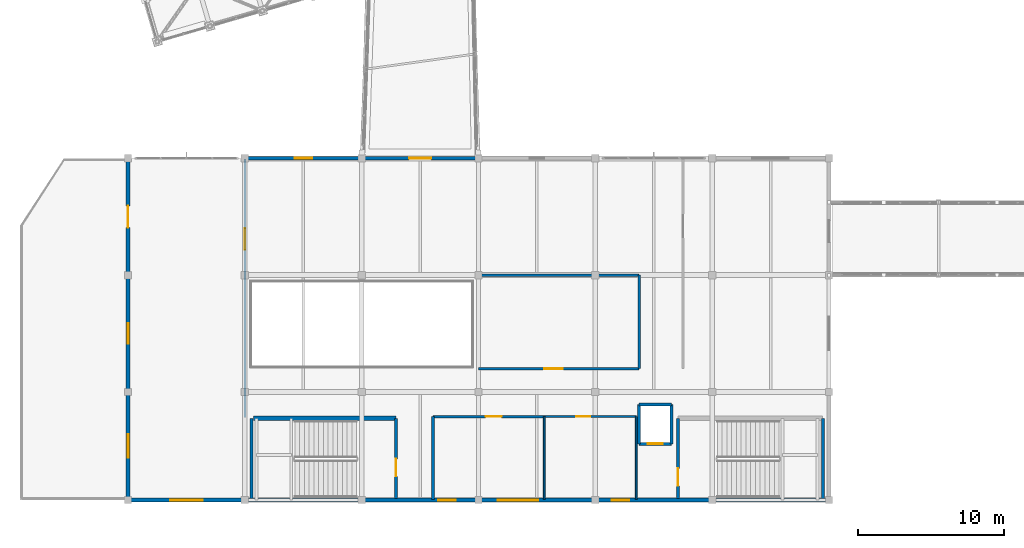
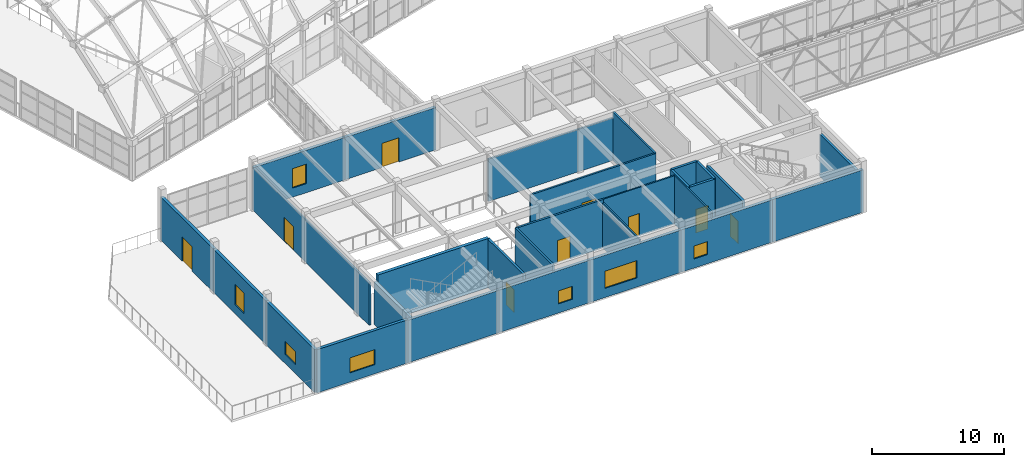
# One storey, part 223 of 248: 29 walls, 9 doors, 7 windows, 16 openings.
"""IFC4 building model written with IfcOpenShell, lengths in metres."""

import ifcopenshell
import ifcopenshell.guid

model = None  # the IFC model being written
_history = None  # IfcOwnerHistory: only IFC2X3 demands one
_inside = {}  # id of a spatial element -> (the spatial element, [elements in it])
_under = {}  # id of a project, library or spatial element -> (it, [spatial elements below it])
_declared = {}  # id of a project -> (the project, [libraries it declares])
_typed = {}  # id of a type object -> (the type object, [elements of that type])
_made_of = {}  # id of a material, layer set ... -> (it, [elements and type objects made of it])


def new_model(schema):
    """Start an empty IFC model of exactly this schema.

    Asked for "IFC4X3", IfcOpenShell would pick the latest addendum, in which some entities
    have other attributes; the version numbers below select the first issue.
    IFC2X3 requires an IfcOwnerHistory on every rooted entity: one is made here for all.
    """
    global model, _history
    if schema == "IFC4X3":
        model = ifcopenshell.file(schema_version=(4, 3, 0, 0))
    else:
        model = ifcopenshell.file(schema=schema)
    _inside.clear()
    _under.clear()
    _declared.clear()
    _typed.clear()
    _made_of.clear()
    _history = None
    if model.schema == "IFC2X3":
        org = make("IfcOrganization", Name="unknown")
        user = make(
            "IfcPersonAndOrganization",
            ThePerson=make("IfcPerson", FamilyName="unknown"),
            TheOrganization=org,
        )
        app = make(
            "IfcApplication",
            ApplicationDeveloper=org,
            Version="unknown",
            ApplicationFullName="unknown",
            ApplicationIdentifier="unknown",
        )
        _history = make(
            "IfcOwnerHistory",
            OwningUser=user,
            OwningApplication=app,
            ChangeAction="ADDED",
            CreationDate=0,
        )
    return model


def make(cls, **values):
    """One entity of the class cls with the attributes given. An attribute that is None is left unset."""
    return model.create_entity(
        cls, **{name: value for name, value in values.items() if value is not None}
    )


def rooted(cls, **values):
    """An entity with a GlobalId (a new one), such as an element, a storey or a relation."""
    return make(cls, GlobalId=ifcopenshell.guid.new(), OwnerHistory=_history, **values)


def si_unit(unit_type, name, prefix=None):
    """IfcSIUnit, for example si_unit("LENGTHUNIT", "METRE", prefix="MILLI")."""
    return make("IfcSIUnit", UnitType=unit_type, Prefix=prefix, Name=name)


def assignment(units):
    """IfcUnitAssignment: the units of a project."""
    return None if units is None else make("IfcUnitAssignment", Units=units)


def point(xyz):
    """IfcCartesianPoint."""
    return None if xyz is None else make("IfcCartesianPoint", Coordinates=xyz)


def direction(xyz):
    """IfcDirection."""
    return None if xyz is None else make("IfcDirection", DirectionRatios=xyz)


def frame(location, z_axis=None, x_axis=None):
    """IfcAxis2Placement3D, a coordinate frame: its origin and axes. An axis left out is left unset."""
    return make(
        "IfcAxis2Placement3D",
        Location=point(location),
        Axis=direction(z_axis),
        RefDirection=direction(x_axis),
    )


def frame_2d(location, x_axis=None):
    """IfcAxis2Placement2D, a coordinate frame in the plane: its origin and x axis."""
    return make(
        "IfcAxis2Placement2D", Location=point(location), RefDirection=direction(x_axis)
    )


def origin():
    """The frame at (0, 0, 0) with its axes left unset."""
    return frame((0.0, 0.0, 0.0))


def place(relative_to, where):
    """IfcLocalPlacement: puts the frame where relative to a parent placement (None: the world)."""
    return make(
        "IfcLocalPlacement", PlacementRelTo=relative_to, RelativePlacement=where
    )


def context(
    kind, dimensions, precision=None, world=None, true_north=None, identifier=None
):
    """IfcGeometricRepresentationContext, for example the 3D "Model" context."""
    return make(
        "IfcGeometricRepresentationContext",
        ContextIdentifier=identifier,
        ContextType=kind,
        CoordinateSpaceDimension=dimensions,
        Precision=precision,
        WorldCoordinateSystem=world,
        TrueNorth=true_north,
    )


def subcontext(parent, identifier, kind, view, scale=None):
    """IfcGeometricRepresentationSubContext, for example "Body" below "Model"."""
    return make(
        "IfcGeometricRepresentationSubContext",
        ContextIdentifier=identifier,
        ContextType=kind,
        ParentContext=parent,
        TargetScale=scale,
        TargetView=view,
    )


def project(units=None, contexts=None):
    """IfcProject with its units and contexts."""
    return rooted(
        "IfcProject",
        Name="project",
        RepresentationContexts=contexts,
        UnitsInContext=assignment(units),
    )


def spatial(cls, under=None, at=None, **own):
    """A site, building, storey or space (cls), placed at a placement, below another one or the project."""
    s = rooted(cls, ObjectPlacement=at, **own)
    if under is not None:
        _under.setdefault(under.id(), (under, []))[1].append(s)
    return s


def profile(cls, at=None, kind="AREA", **sizes):
    """A parametric profile (cls). Its sizes go by their IFC names, for example OverallWidth=200.0."""
    return make(cls, ProfileType=kind, Position=at, **sizes)


def rectangle(**sizes):
    """IfcRectangleProfileDef."""
    return profile("IfcRectangleProfileDef", **sizes)


def extrude(swept, where, along, depth):
    """IfcExtrudedAreaSolid: the profile swept, set in the frame where, extruded along a direction by depth."""
    return make(
        "IfcExtrudedAreaSolid",
        SweptArea=swept,
        Position=where,
        ExtrudedDirection=direction(along),
        Depth=depth,
    )


def shape(context_of_items, identifier, shape_type, items):
    """IfcShapeRepresentation: the items that make up one representation, for example the "Body"."""
    return make(
        "IfcShapeRepresentation",
        ContextOfItems=context_of_items,
        RepresentationIdentifier=identifier,
        RepresentationType=shape_type,
        Items=items,
    )


def material(Name=None, Category=None):
    """IfcMaterial."""
    return make("IfcMaterial", Name=Name, Category=Category)


def layer(
    of_material, thickness, ventilated=None, Name=None, Category=None, Priority=None
):
    """IfcMaterialLayer: one layer of a wall or slab, of a material (None: an air gap)."""
    return make(
        "IfcMaterialLayer",
        Material=of_material,
        LayerThickness=thickness,
        IsVentilated=ventilated,
        Name=Name,
        Category=Category,
        Priority=Priority,
    )


def layer_set(layers, Name=None):
    """IfcMaterialLayerSet."""
    return make("IfcMaterialLayerSet", MaterialLayers=layers, LayerSetName=Name)


def made_of(thing, what):
    """Note that an element or type object is made of a material, layer set ...; save() writes the relation."""
    if what is not None:
        _made_of.setdefault(what.id(), (what, []))[1].append(thing)
    return thing


def type_object(cls, material=None, **own):
    """A type object (cls), such as IfcWallType, which elements share."""
    return made_of(rooted(cls, **own), material)


def element(
    cls,
    number,
    at=None,
    inside=None,
    cuts=None,
    type_object=None,
    material=None,
    context=None,
    identifier="Body",
    shape_type=None,
    held_by="IfcProductDefinitionShape",
    body=None,
    shapes=None,
    **own,
):
    """One element of the class cls, such as IfcWall. Its Tag is "e" and its number.

    at: its placement. inside: the storey or other place that contains it. cuts: it is an
    opening in that element (IfcRelVoidsElement). A single representation is given by context,
    identifier, shape_type and body (its items); several are given by shapes. held_by: the class
    of the entity that holds the representations. save() writes the other relations.
    """
    e = rooted(cls, Tag="e%d" % number, ObjectPlacement=at, **own)
    if body is not None:
        shapes = [shape(context, identifier, shape_type, body)]
    if shapes is not None:
        e.Representation = make(held_by, Representations=shapes)
    if inside is not None:
        _inside.setdefault(inside.id(), (inside, []))[1].append(e)
    if cuts is not None:
        rooted(
            "IfcRelVoidsElement", RelatingBuildingElement=cuts, RelatedOpeningElement=e
        )
    if type_object is not None:
        _typed.setdefault(type_object.id(), (type_object, []))[1].append(e)
    return made_of(e, material)


def fill(opening, filler):
    """IfcRelFillsElement: the door or window that sits in an opening."""
    return rooted(
        "IfcRelFillsElement",
        RelatingOpeningElement=opening,
        RelatedBuildingElement=filler,
    )


def aggregate(whole, parts):
    """IfcRelAggregates: a whole, such as a stair, and the parts it consists of."""
    return rooted("IfcRelAggregates", RelatingObject=whole, RelatedObjects=parts)


def save(model, path):
    """Write the relations noted so far, then the file.

    IfcRelAggregates (storeys below a building ...), IfcRelContainedInSpatialStructure (elements
    in a storey), IfcRelDefinesByType, IfcRelAssociatesMaterial and IfcRelDeclares: one each for
    every whole, place, type object, material and project.
    """
    for whole, parts in _under.values():
        aggregate(whole, parts)
    for where, things in _inside.values():
        rooted(
            "IfcRelContainedInSpatialStructure",
            RelatedElements=things,
            RelatingStructure=where,
        )
    for kind, things in _typed.values():
        rooted("IfcRelDefinesByType", RelatedObjects=things, RelatingType=kind)
    for what, things in _made_of.values():
        rooted("IfcRelAssociatesMaterial", RelatedObjects=things, RelatingMaterial=what)
    for by, libraries in _declared.values():
        rooted("IfcRelDeclares", RelatingContext=by, RelatedDefinitions=libraries)
    model.write(path)


model = new_model("IFC4")

# Units and contexts
model_context = context("Model", 3, precision=1e-05, world=origin(), true_north=direction((0.0, 1.0)))
body_context = subcontext(model_context, "Body", "Model", "MODEL_VIEW")
ifc_project = project(units=[si_unit("LENGTHUNIT", "METRE"), si_unit("AREAUNIT", "SQUARE_METRE"), si_unit("VOLUMEUNIT", "CUBIC_METRE"), si_unit("PLANEANGLEUNIT", "RADIAN"), si_unit("MASSUNIT", "GRAM", prefix="KILO")], contexts=[model_context])

# Site, building, storey
site_placement = place(None, origin())
site = spatial("IfcSite", under=ifc_project, at=site_placement, CompositionType="ELEMENT")
building_placement = place(site_placement, origin())
building = spatial("IfcBuilding", under=site, at=building_placement, Name="Canggui Botanical Conservatory", CompositionType="ELEMENT")
storey_placement = place(building_placement, frame((0.0, 0.0, 5.39990234375)))
storey = spatial("IfcBuildingStorey", under=building, at=storey_placement, Name="L02", CompositionType="ELEMENT", Elevation=5.39990234375)

# Wall
ifc_material_1 = material(Name="Precast Concrete C40", Category="concrete")
ifc_layer_1 = layer(ifc_material_1, 0.260009765625, Name="Precast Concrete C40", Category="concrete")
ifc_layer_set_1 = layer_set([ifc_layer_1], Name="Precast Concrete C40")
wall_type_1 = type_object("IfcWallType", Name="EW-260", PredefinedType="STANDARD", material=ifc_layer_set_1)
wall_1_placement = place(storey_placement, frame((66.0, 10.60009765625, 0.0), z_axis=(0.0, 0.0, 1.0), x_axis=(-1.0, 0.0, 0.0)))
element("IfcWall", 1, at=wall_1_placement, inside=storey, type_object=wall_type_1, Name="Visitor Centre Exterior Wall L02-1", PredefinedType="STANDARD", context=body_context, shape_type="SweptSolid", body=[
    extrude(rectangle(XDim=8.0, YDim=0.260009765625, at=frame_2d((4.0, 0.0))), origin(), (0.0, 0.0, 1.0), 3.940185546875),
])

# Wall, opening, window
wall_2_placement = place(storey_placement, frame((58.0, 10.60009765625, 0.0), z_axis=(0.0, 0.0, 1.0), x_axis=(-1.0, 0.0, 0.0)))
wall_2 = element("IfcWall", 2, at=wall_2_placement, inside=storey, type_object=wall_type_1, Name="Visitor Centre Exterior Wall L02-2", PredefinedType="STANDARD", context=body_context, shape_type="SweptSolid", body=[
    extrude(rectangle(XDim=8.0, YDim=0.260009765625, at=frame_2d((4.0, 0.0))), origin(), (0.0, 0.0, 1.0), 3.940185546875),
])
opening_1_placement = place(wall_2_placement, frame((5.69189453125, 0.0, 0.85009765625)))
opening_1 = element("IfcOpeningElement", 3, at=opening_1_placement, cuts=wall_2, Name="Opening W-06", PredefinedType="OPENING", context=body_context, shape_type="SweptSolid", body=[
    extrude(rectangle(XDim=1.199951171875, YDim=1.199951171875, at=frame_2d((0.60009765625, 0.60009765625))), frame((0.0, 0.14013671875, 0.0), z_axis=(0.0, -1.0, 0.0), x_axis=(1.0, 0.0, 0.0)), (0.0, 0.0, 1.0), 0.280029296875),
])
ifc_material_2 = material(Name="Low-E Insulated Glass", Category="glass")
window_type_1 = type_object("IfcWindowType", Name="WIN-06", PartitioningType="SINGLE_PANEL", PredefinedType="WINDOW", material=ifc_material_2)
window_1_placement = place(opening_1_placement, origin())
window_1 = element("IfcWindow", 4, at=window_1_placement, inside=storey, type_object=window_type_1, Name="Visitor Centre Window L02-2", OverallHeight=1.199951171875, OverallWidth=1.199951171875, PartitioningType="SINGLE_PANEL", PredefinedType="WINDOW", context=body_context, shape_type="SweptSolid", body=[
    extrude(rectangle(XDim=1.199951171875, YDim=1.199951171875, at=frame_2d((0.60009765625, 0.60009765625))), frame((0.0, 0.030029296875, 0.0), z_axis=(0.0, -1.0, 0.0), x_axis=(1.0, 0.0, 0.0)), (0.0, 0.0, 1.0), 0.06005859375),
])
fill(opening_1, window_1)

wall_3_placement = place(storey_placement, frame((50.0, 10.60009765625, 0.0), z_axis=(0.0, 0.0, 1.0), x_axis=(-1.0, 0.0, 0.0)))
wall_3 = element("IfcWall", 5, at=wall_3_placement, inside=storey, type_object=wall_type_1, Name="Visitor Centre Exterior Wall L02-3", PredefinedType="STANDARD", context=body_context, shape_type="SweptSolid", body=[
    extrude(rectangle(XDim=8.0, YDim=0.260009765625, at=frame_2d((4.0, 0.0))), origin(), (0.0, 0.0, 1.0), 3.940185546875),
])
opening_2_placement = place(wall_3_placement, frame((3.89990234375, 0.0, 0.85009765625)))
opening_2 = element("IfcOpeningElement", 6, at=opening_2_placement, cuts=wall_3, Name="Opening W-08", PredefinedType="OPENING", context=body_context, shape_type="SweptSolid", body=[
    extrude(rectangle(XDim=2.800048828125, YDim=1.60009765625, at=frame_2d((1.39990234375, 0.800048828125))), frame((0.0, 0.14013671875, 0.0), z_axis=(0.0, -1.0, 0.0), x_axis=(1.0, 0.0, 0.0)), (0.0, 0.0, 1.0), 0.280029296875),
])
window_type_2 = type_object("IfcWindowType", Name="WIN-08", PartitioningType="TRIPLE_PANEL_VERTICAL", PredefinedType="WINDOW", material=ifc_material_2)
window_2_placement = place(opening_2_placement, origin())
window_2 = element("IfcWindow", 7, at=window_2_placement, inside=storey, type_object=window_type_2, Name="Visitor Centre Window L02-3", OverallHeight=1.60009765625, OverallWidth=2.800048828125, PartitioningType="SINGLE_PANEL", PredefinedType="WINDOW", context=body_context, shape_type="SweptSolid", body=[
    extrude(rectangle(XDim=2.800048828125, YDim=1.60009765625, at=frame_2d((1.39990234375, 0.800048828125))), frame((0.0, 0.030029296875, 0.0), z_axis=(0.0, -1.0, 0.0), x_axis=(1.0, 0.0, 0.0)), (0.0, 0.0, 1.0), 0.06005859375),
])
fill(opening_2, window_2)

wall_4_placement = place(storey_placement, frame((42.0, 10.60009765625, 0.0), z_axis=(0.0, 0.0, 1.0), x_axis=(-1.0, 0.0, 0.0)))
wall_4 = element("IfcWall", 8, at=wall_4_placement, inside=storey, type_object=wall_type_1, Name="Visitor Centre Exterior Wall L02-4", PredefinedType="STANDARD", context=body_context, shape_type="SweptSolid", body=[
    extrude(rectangle(XDim=8.0, YDim=0.260009765625, at=frame_2d((4.0, 0.0))), origin(), (0.0, 0.0, 1.0), 3.940185546875),
])
opening_3_placement = place(wall_4_placement, frame((1.56689453125, 0.0, 0.85009765625)))
opening_3 = element("IfcOpeningElement", 9, at=opening_3_placement, cuts=wall_4, Name="Opening W-06", PredefinedType="OPENING", context=body_context, shape_type="SweptSolid", body=[
    extrude(rectangle(XDim=1.199951171875, YDim=1.199951171875, at=frame_2d((0.60009765625, 0.60009765625))), frame((0.0, 0.14013671875, 0.0), z_axis=(0.0, -1.0, 0.0), x_axis=(1.0, 0.0, 0.0)), (0.0, 0.0, 1.0), 0.280029296875),
])
window_3_placement = place(opening_3_placement, origin())
window_3 = element("IfcWindow", 10, at=window_3_placement, inside=storey, type_object=window_type_1, Name="Visitor Centre Window L02-4", OverallHeight=1.199951171875, OverallWidth=1.199951171875, PartitioningType="SINGLE_PANEL", PredefinedType="WINDOW", context=body_context, shape_type="SweptSolid", body=[
    extrude(rectangle(XDim=1.199951171875, YDim=1.199951171875, at=frame_2d((0.60009765625, 0.60009765625))), frame((0.0, 0.030029296875, 0.0), z_axis=(0.0, -1.0, 0.0), x_axis=(1.0, 0.0, 0.0)), (0.0, 0.0, 1.0), 0.06005859375),
])
fill(opening_3, window_3)

# Wall
wall_5_placement = place(storey_placement, frame((34.0, 10.60009765625, 0.0), z_axis=(0.0, 0.0, 1.0), x_axis=(-1.0, 0.0, 0.0)))
element("IfcWall", 11, at=wall_5_placement, inside=storey, type_object=wall_type_1, Name="Visitor Centre Exterior Wall L02-5", PredefinedType="STANDARD", context=body_context, shape_type="SweptSolid", body=[
    extrude(rectangle(XDim=8.0, YDim=0.260009765625, at=frame_2d((4.0, 0.0))), origin(), (0.0, 0.0, 1.0), 3.940185546875),
])

# Wall, opening, window
wall_6_placement = place(storey_placement, frame((26.0, 10.60009765625, 0.0), z_axis=(0.0, 0.0, 1.0), x_axis=(-1.0, 0.0, 0.0)))
wall_6 = element("IfcWall", 12, at=wall_6_placement, inside=storey, type_object=wall_type_1, Name="Visitor Centre Exterior Wall L02-6", PredefinedType="STANDARD", context=body_context, shape_type="SweptSolid", body=[
    extrude(rectangle(XDim=8.0, YDim=0.260009765625, at=frame_2d((4.0, 0.0))), origin(), (0.0, 0.0, 1.0), 4.010009765625),
])
opening_4_placement = place(wall_6_placement, frame((2.89990234375, 0.0, 0.85009765625)))
opening_4 = element("IfcOpeningElement", 13, at=opening_4_placement, cuts=wall_6, Name="Opening W-10", PredefinedType="OPENING", context=body_context, shape_type="SweptSolid", body=[
    extrude(rectangle(XDim=2.199951171875, YDim=1.39990234375, at=frame_2d((1.10009765625, 0.699951171875))), frame((0.0, 0.14013671875, 0.0), z_axis=(0.0, -1.0, 0.0), x_axis=(1.0, 0.0, 0.0)), (0.0, 0.0, 1.0), 0.280029296875),
])
window_type_3 = type_object("IfcWindowType", Name="WIN-10", PartitioningType="DOUBLE_PANEL_VERTICAL", PredefinedType="WINDOW", material=ifc_material_2)
window_4_placement = place(opening_4_placement, origin())
window_4 = element("IfcWindow", 14, at=window_4_placement, inside=storey, type_object=window_type_3, Name="Visitor Centre Window L02-6", OverallHeight=1.39990234375, OverallWidth=2.199951171875, PartitioningType="SINGLE_PANEL", PredefinedType="WINDOW", context=body_context, shape_type="SweptSolid", body=[
    extrude(rectangle(XDim=2.199951171875, YDim=1.39990234375, at=frame_2d((1.10009765625, 0.699951171875))), frame((0.0, 0.030029296875, 0.0), z_axis=(0.0, -1.0, 0.0), x_axis=(1.0, 0.0, 0.0)), (0.0, 0.0, 1.0), 0.06005859375),
])
fill(opening_4, window_4)

wall_7_placement = place(storey_placement, frame((18.0, 10.60009765625, 0.0), z_axis=(0.0, 0.0, 1.0), x_axis=(0.0, 1.0, 0.0)))
wall_7 = element("IfcWall", 15, at=wall_7_placement, inside=storey, type_object=wall_type_1, Name="Visitor Centre Exterior Wall L02-7", PredefinedType="STANDARD", context=body_context, shape_type="SweptSolid", body=[
    extrude(rectangle(XDim=7.39990234375, YDim=0.260009765625, at=frame_2d((3.699951171875, 0.0))), origin(), (0.0, 0.0, 1.0), 4.010009765625),
])
opening_5_placement = place(wall_7_placement, frame((2.89990234375, 0.0, 0.85009765625)))
opening_5 = element("IfcOpeningElement", 16, at=opening_5_placement, cuts=wall_7, Name="Opening W-04", PredefinedType="OPENING", context=body_context, shape_type="SweptSolid", body=[
    extrude(rectangle(XDim=1.60009765625, YDim=1.199951171875, at=frame_2d((0.800048828125, 0.60009765625))), frame((0.0, 0.14013671875, 0.0), z_axis=(0.0, -1.0, 0.0), x_axis=(1.0, 0.0, 0.0)), (0.0, 0.0, 1.0), 0.280029296875),
])
window_type_4 = type_object("IfcWindowType", Name="WIN-04", PartitioningType="SINGLE_PANEL", PredefinedType="WINDOW", material=ifc_material_2)
window_5_placement = place(opening_5_placement, origin())
window_5 = element("IfcWindow", 17, at=window_5_placement, inside=storey, type_object=window_type_4, Name="Visitor Centre Window L02-7", OverallHeight=1.199951171875, OverallWidth=1.60009765625, PartitioningType="SINGLE_PANEL", PredefinedType="WINDOW", context=body_context, shape_type="SweptSolid", body=[
    extrude(rectangle(XDim=1.60009765625, YDim=1.199951171875, at=frame_2d((0.800048828125, 0.60009765625))), frame((0.0, 0.030029296875, 0.0), z_axis=(0.0, -1.0, 0.0), x_axis=(1.0, 0.0, 0.0)), (0.0, 0.0, 1.0), 0.06005859375),
])
fill(opening_5, window_5)

wall_8_placement = place(storey_placement, frame((18.0, 18.0, 0.0), z_axis=(0.0, 0.0, 1.0), x_axis=(0.0, 1.0, 0.0)))
wall_8 = element("IfcWall", 18, at=wall_8_placement, inside=storey, type_object=wall_type_1, Name="Visitor Centre Exterior Wall L02-8", PredefinedType="STANDARD", context=body_context, shape_type="SweptSolid", body=[
    extrude(rectangle(XDim=8.0, YDim=0.260009765625, at=frame_2d((4.0, 0.0))), origin(), (0.0, 0.0, 1.0), 4.010009765625),
])
opening_6_placement = place(wall_8_placement, frame((3.300048828125, 0.0, 0.85009765625)))
opening_6 = element("IfcOpeningElement", 19, at=opening_6_placement, cuts=wall_8, Name="Opening W-14", PredefinedType="OPENING", context=body_context, shape_type="SweptSolid", body=[
    extrude(rectangle(XDim=1.39990234375, YDim=1.89990234375, at=frame_2d((0.699951171875, 0.949951171875))), frame((0.0, 0.14013671875, 0.0), z_axis=(0.0, -1.0, 0.0), x_axis=(1.0, 0.0, 0.0)), (0.0, 0.0, 1.0), 0.280029296875),
])
window_type_5 = type_object("IfcWindowType", Name="WIN-14", PartitioningType="SINGLE_PANEL", PredefinedType="WINDOW", material=ifc_material_2)
window_6_placement = place(opening_6_placement, origin())
window_6 = element("IfcWindow", 20, at=window_6_placement, inside=storey, type_object=window_type_5, Name="Visitor Centre Window L02-8", OverallHeight=1.89990234375, OverallWidth=1.39990234375, PartitioningType="SINGLE_PANEL", PredefinedType="WINDOW", context=body_context, shape_type="SweptSolid", body=[
    extrude(rectangle(XDim=1.39990234375, YDim=1.89990234375, at=frame_2d((0.699951171875, 0.949951171875))), frame((0.0, 0.030029296875, 0.0), z_axis=(0.0, -1.0, 0.0), x_axis=(1.0, 0.0, 0.0)), (0.0, 0.0, 1.0), 0.06005859375),
])
fill(opening_6, window_6)

# Wall, opening, door
wall_9_placement = place(storey_placement, frame((18.0, 26.0, 0.0), z_axis=(0.0, 0.0, 1.0), x_axis=(0.0, 1.0, 0.0)))
wall_9 = element("IfcWall", 21, at=wall_9_placement, inside=storey, type_object=wall_type_1, Name="Visitor Centre Exterior Wall L02-9", PredefinedType="STANDARD", context=body_context, shape_type="SweptSolid", body=[
    extrude(rectangle(XDim=8.0, YDim=0.260009765625, at=frame_2d((4.0, 0.0))), origin(), (0.0, 0.0, 1.0), 4.010009765625),
])
opening_7_placement = place(wall_9_placement, frame((3.25, 0.0, 0.0)))
opening_7 = element("IfcOpeningElement", 22, at=opening_7_placement, cuts=wall_9, Name="Opening TD-01", PredefinedType="OPENING", context=body_context, shape_type="SweptSolid", body=[
    extrude(rectangle(XDim=1.5, YDim=2.25, at=frame_2d((0.75, 1.125))), frame((0.0, 0.14013671875, 0.0), z_axis=(0.0, -1.0, 0.0), x_axis=(1.0, 0.0, 0.0)), (0.0, 0.0, 1.0), 0.280029296875),
])
ifc_material_3 = material(Name="Anodised Aluminium", Category="aluminium")
door_type_1 = type_object("IfcDoorType", Name="EDR-TER15", OperationType="NOTDEFINED", PredefinedType="DOOR", material=ifc_material_3)
door_1_placement = place(opening_7_placement, origin())
door_1 = element("IfcDoor", 23, at=door_1_placement, inside=storey, type_object=door_type_1, Name="Visitor Reading Terrace Door L02", OperationType="SINGLE_SWING_RIGHT", OverallHeight=2.25, OverallWidth=1.5, PredefinedType="DOOR", context=body_context, shape_type="SweptSolid", body=[
    extrude(rectangle(XDim=1.5, YDim=2.25, at=frame_2d((0.75, 1.125))), frame((0.0, 0.02490234375, 0.0), z_axis=(0.0, -1.0, 0.0), x_axis=(1.0, 0.0, 0.0)), (0.0, 0.0, 1.0), 0.050048828125),
])
fill(opening_7, door_1)

# Wall, opening, window
wall_10_placement = place(storey_placement, frame((26.0, 34.0, 0.0), z_axis=(0.0, 0.0, 1.0), x_axis=(1.0, 0.0, 0.0)))
wall_10 = element("IfcWall", 24, at=wall_10_placement, inside=storey, type_object=wall_type_1, Name="Visitor Centre Exterior Wall L02-11", PredefinedType="STANDARD", context=body_context, shape_type="SweptSolid", body=[
    extrude(rectangle(XDim=8.0, YDim=0.260009765625, at=frame_2d((4.0, 0.0))), origin(), (0.0, 0.0, 1.0), 3.940185546875),
])
opening_8_placement = place(wall_10_placement, frame((3.39990234375, 0.0, 0.85009765625)))
opening_8 = element("IfcOpeningElement", 25, at=opening_8_placement, cuts=wall_10, Name="Opening W-15", PredefinedType="OPENING", context=body_context, shape_type="SweptSolid", body=[
    extrude(rectangle(XDim=1.199951171875, YDim=1.800048828125, at=frame_2d((0.60009765625, 0.89990234375))), frame((0.0, 0.14013671875, 0.0), z_axis=(0.0, -1.0, 0.0), x_axis=(1.0, 0.0, 0.0)), (0.0, 0.0, 1.0), 0.280029296875),
])
window_type_6 = type_object("IfcWindowType", Name="WIN-15", PartitioningType="SINGLE_PANEL", PredefinedType="WINDOW", material=ifc_material_2)
window_7_placement = place(opening_8_placement, origin())
window_7 = element("IfcWindow", 26, at=window_7_placement, inside=storey, type_object=window_type_6, Name="Visitor Centre Window L02-11", OverallHeight=1.800048828125, OverallWidth=1.199951171875, PartitioningType="SINGLE_PANEL", PredefinedType="WINDOW", context=body_context, shape_type="SweptSolid", body=[
    extrude(rectangle(XDim=1.199951171875, YDim=1.800048828125, at=frame_2d((0.60009765625, 0.89990234375))), frame((0.0, 0.030029296875, 0.0), z_axis=(0.0, -1.0, 0.0), x_axis=(1.0, 0.0, 0.0)), (0.0, 0.0, 1.0), 0.06005859375),
])
fill(opening_8, window_7)

# Wall, opening, door
wall_11_placement = place(storey_placement, frame((34.0, 34.0, 0.0), z_axis=(0.0, 0.0, 1.0), x_axis=(1.0, 0.0, 0.0)))
wall_11 = element("IfcWall", 27, at=wall_11_placement, inside=storey, type_object=wall_type_1, Name="Visitor Centre Exterior Wall L02-12", PredefinedType="STANDARD", context=body_context, shape_type="SweptSolid", body=[
    extrude(rectangle(XDim=8.0, YDim=0.260009765625, at=frame_2d((4.0, 0.0))), origin(), (0.0, 0.0, 1.0), 3.940185546875),
])
opening_9_placement = place(wall_11_placement, frame((3.25, 0.0, 0.0)))
opening_9 = element("IfcOpeningElement", 28, at=opening_9_placement, cuts=wall_11, Name="Opening TD-01", PredefinedType="OPENING", context=body_context, shape_type="SweptSolid", body=[
    extrude(rectangle(XDim=1.5, YDim=2.25, at=frame_2d((0.75, 1.125))), frame((0.0, 0.14013671875, 0.0), z_axis=(0.0, -1.0, 0.0), x_axis=(1.0, 0.0, 0.0)), (0.0, 0.0, 1.0), 0.280029296875),
])
door_2_placement = place(opening_9_placement, origin())
door_2 = element("IfcDoor", 29, at=door_2_placement, inside=storey, type_object=door_type_1, Name="Visitor Skybridge Fire Door L02-12", OperationType="SINGLE_SWING_LEFT", OverallHeight=2.25, OverallWidth=1.5, PredefinedType="DOOR", context=body_context, shape_type="SweptSolid", body=[
    extrude(rectangle(XDim=1.5, YDim=2.25, at=frame_2d((0.75, 1.125))), frame((0.0, 0.02490234375, 0.0), z_axis=(0.0, -1.0, 0.0), x_axis=(1.0, 0.0, 0.0)), (0.0, 0.0, 1.0), 0.050048828125),
])
fill(opening_9, door_2)

# Wall
ifc_material_4 = material(Name="Gypsum Plasterboard Partition")
ifc_layer_2 = layer(ifc_material_4, 0.175048828125, Name="Gypsum Plasterboard Partition")
ifc_layer_set_2 = layer_set([ifc_layer_2], Name="Gypsum Plasterboard Partition")
wall_type_2 = type_object("IfcWallType", Name="IW-CORR-175", PredefinedType="STANDARD", material=ifc_layer_set_2)
wall_12_placement = place(storey_placement, frame((38.8798828125, 10.64990234375, 0.0), z_axis=(0.0, 0.0, 1.0), x_axis=(0.0, 1.0, 0.0)))
element("IfcWall", 30, at=wall_12_placement, inside=storey, type_object=wall_type_2, Name="Visitor South Seminar West Wall L02", PredefinedType="STANDARD", context=body_context, shape_type="SweptSolid", body=[
    extrude(rectangle(XDim=5.670166015625, YDim=0.175048828125, at=frame_2d((2.8349609375, 0.0))), origin(), (0.0, 0.0, 1.0), 4.5),
])

# Wall, opening, door
wall_13_placement = place(storey_placement, frame((38.8798828125, 16.320068359375, 0.0), z_axis=(0.0, 0.0, 1.0), x_axis=(1.0, 0.0, 0.0)))
wall_13 = element("IfcWall", 31, at=wall_13_placement, inside=storey, type_object=wall_type_2, Name="Visitor South Seminar Wall L02", PredefinedType="STANDARD", context=body_context, shape_type="SweptSolid", body=[
    extrude(rectangle(XDim=7.6201171875, YDim=0.175048828125, at=frame_2d((3.81005859375, 0.0))), origin(), (0.0, 0.0, 1.0), 4.5),
])
opening_10_placement = place(wall_13_placement, frame((3.60009765625, 0.0, 0.0)))
opening_10 = element("IfcOpeningElement", 32, at=opening_10_placement, cuts=wall_13, Name="Opening FD-05", PredefinedType="OPENING", context=body_context, shape_type="SweptSolid", body=[
    extrude(rectangle(XDim=1.10009765625, YDim=2.10009765625, at=frame_2d((0.550048828125, 1.050048828125))), frame((0.0, 0.09765625, 0.0), z_axis=(0.0, -1.0, 0.0), x_axis=(1.0, 0.0, 0.0)), (0.0, 0.0, 1.0), 0.195068359375),
])
ifc_material_5 = material(Name="Powder-Coated Steel", Category="steel")
door_type_2 = type_object("IfcDoorType", Name="FD-05", OperationType="NOTDEFINED", PredefinedType="DOOR", material=ifc_material_5)
door_3_placement = place(opening_10_placement, origin())
door_3 = element("IfcDoor", 33, at=door_3_placement, inside=storey, type_object=door_type_2, Name="Interior Door IW-VIS-L02-S1", OperationType="SINGLE_SWING_RIGHT", OverallHeight=2.10009765625, OverallWidth=1.10009765625, PredefinedType="DOOR", context=body_context, shape_type="SweptSolid", body=[
    extrude(rectangle(XDim=1.10009765625, YDim=2.10009765625, at=frame_2d((0.550048828125, 1.050048828125))), frame((0.0, 0.02490234375, 0.0), z_axis=(0.0, -1.0, 0.0), x_axis=(1.0, 0.0, 0.0)), (0.0, 0.0, 1.0), 0.050048828125),
])
fill(opening_10, door_3)

ifc_layer_3 = layer(ifc_material_4, 0.155029296875, Name="Gypsum Plasterboard Partition")
ifc_layer_set_3 = layer_set([ifc_layer_3], Name="Gypsum Plasterboard Partition")
wall_type_3 = type_object("IfcWallType", Name="IW-LAB-155", PredefinedType="STANDARD", material=ifc_layer_set_3)
wall_14_placement = place(storey_placement, frame((26.0, 16.25, 0.0), z_axis=(0.0, 0.0, 1.0), x_axis=(0.0, 1.0, 0.0)))
wall_14 = element("IfcWall", 34, at=wall_14_placement, inside=storey, type_object=wall_type_3, Name="Visitor West Evolution Gallery Wall", PredefinedType="STANDARD", context=body_context, shape_type="SweptSolid", body=[
    extrude(rectangle(XDim=17.699951171875, YDim=0.155029296875, at=frame_2d((8.85009765625, 0.0))), origin(), (0.0, 0.0, 1.0), 3.940185546875),
])
opening_11_placement = place(wall_14_placement, frame((11.5, 0.0, 0.0)))
opening_11 = element("IfcOpeningElement", 35, at=opening_11_placement, cuts=wall_14, Name="Opening FD-12", PredefinedType="OPENING", context=body_context, shape_type="SweptSolid", body=[
    extrude(rectangle(XDim=1.449951171875, YDim=2.199951171875, at=frame_2d((0.72509765625, 1.10009765625))), frame((0.0, 0.08740234375, 0.0), z_axis=(0.0, -1.0, 0.0), x_axis=(1.0, 0.0, 0.0)), (0.0, 0.0, 1.0), 0.175048828125),
])
door_type_3 = type_object("IfcDoorType", Name="FD-12", OperationType="NOTDEFINED", PredefinedType="DOOR", material=ifc_material_5)
door_4_placement = place(opening_11_placement, origin())
door_4 = element("IfcDoor", 36, at=door_4_placement, inside=storey, type_object=door_type_3, Name="Interior Door IW-VIS-L02-W", OperationType="SINGLE_SWING_LEFT", OverallHeight=2.199951171875, OverallWidth=1.449951171875, PredefinedType="DOOR", context=body_context, shape_type="SweptSolid", body=[
    extrude(rectangle(XDim=1.449951171875, YDim=2.199951171875, at=frame_2d((0.72509765625, 1.10009765625))), frame((0.0, 0.02490234375, 0.0), z_axis=(0.0, -1.0, 0.0), x_axis=(1.0, 0.0, 0.0)), (0.0, 0.0, 1.0), 0.050048828125),
])
fill(opening_11, door_4)

wall_15_placement = place(storey_placement, frame((42.0, 19.60009765625, 0.0), z_axis=(0.0, 0.0, 1.0), x_axis=(1.0, 0.0, 0.0)))
wall_15 = element("IfcWall", 37, at=wall_15_placement, inside=storey, type_object=wall_type_3, Name="Visitor Mid Gallery South Wall L02", PredefinedType="STANDARD", context=body_context, shape_type="SweptSolid", body=[
    extrude(rectangle(XDim=11.0, YDim=0.155029296875, at=frame_2d((5.5, 0.0))), origin(), (0.0, 0.0, 1.0), 4.5),
])
opening_12_placement = place(wall_15_placement, frame((4.5, 0.0, 0.0)))
opening_12 = element("IfcOpeningElement", 38, at=opening_12_placement, cuts=wall_15, Name="Opening FD-08", PredefinedType="OPENING", context=body_context, shape_type="SweptSolid", body=[
    extrude(rectangle(XDim=1.25, YDim=2.14990234375, at=frame_2d((0.625, 1.074951171875))), frame((0.0, 0.08740234375, 0.0), z_axis=(0.0, -1.0, 0.0), x_axis=(1.0, 0.0, 0.0)), (0.0, 0.0, 1.0), 0.175048828125),
])
door_type_4 = type_object("IfcDoorType", Name="FD-08", OperationType="NOTDEFINED", PredefinedType="DOOR", material=ifc_material_5)
door_5_placement = place(opening_12_placement, origin())
door_5 = element("IfcDoor", 39, at=door_5_placement, inside=storey, type_object=door_type_4, Name="Interior Door IW-VIS-L02-M", OperationType="SINGLE_SWING_RIGHT", OverallHeight=2.14990234375, OverallWidth=1.25, PredefinedType="DOOR", context=body_context, shape_type="SweptSolid", body=[
    extrude(rectangle(XDim=1.25, YDim=2.14990234375, at=frame_2d((0.625, 1.074951171875))), frame((0.0, 0.02490234375, 0.0), z_axis=(0.0, -1.0, 0.0), x_axis=(1.0, 0.0, 0.0)), (0.0, 0.0, 1.0), 0.050048828125),
])
fill(opening_12, door_5)

# Walls
wall_16_placement = place(storey_placement, frame((53.0, 19.60009765625, 0.0), z_axis=(0.0, 0.0, 1.0), x_axis=(0.0, 1.0, 0.0)))
element("IfcWall", 40, at=wall_16_placement, inside=storey, type_object=wall_type_3, Name="Visitor Mid Gallery East Wall L02", PredefinedType="STANDARD", context=body_context, shape_type="SweptSolid", body=[
    extrude(rectangle(XDim=6.39990234375, YDim=0.155029296875, at=frame_2d((3.199951171875, 0.0))), origin(), (0.0, 0.0, 1.0), 4.5),
])
wall_17_placement = place(storey_placement, frame((42.0, 26.0, 0.0), z_axis=(0.0, 0.0, 1.0), x_axis=(1.0, 0.0, 0.0)))
element("IfcWall", 41, at=wall_17_placement, inside=storey, type_object=wall_type_3, Name="Visitor Mid Gallery North Wall L02", PredefinedType="STANDARD", context=body_context, shape_type="SweptSolid", body=[
    extrude(rectangle(XDim=11.0, YDim=0.155029296875, at=frame_2d((5.5, 0.0))), origin(), (0.0, 0.0, 1.0), 3.940185546875),
])

# Wall, opening, door
ifc_material_6 = material(Name="Concrete C35", Category="concrete")
ifc_layer_4 = layer(ifc_material_6, 0.215087890625, Name="Concrete C35", Category="concrete")
ifc_layer_set_4 = layer_set([ifc_layer_4], Name="Concrete C35")
wall_type_4 = type_object("IfcWallType", Name="IW-SHAFT-215", PredefinedType="STANDARD", material=ifc_layer_set_4)
wall_18_placement = place(storey_placement, frame((55.64990234375, 10.719970703125, 0.0), z_axis=(0.0, 0.0, 1.0), x_axis=(0.0, 1.0, 0.0)))
wall_18 = element("IfcWall", 42, at=wall_18_placement, inside=storey, type_object=wall_type_4, Name="ST-V1 Shaft West Wall L02", PredefinedType="STANDARD", context=body_context, shape_type="SweptSolid", body=[
    extrude(rectangle(XDim=5.47998046875, YDim=0.215087890625, at=frame_2d((2.739990234375, 0.0))), origin(), (0.0, 0.0, 1.0), 4.5),
])
opening_13_placement = place(wall_18_placement, frame((0.85009765625, 0.0, 0.0)))
opening_13 = element("IfcOpeningElement", 43, at=opening_13_placement, cuts=wall_18, Name="Opening FD-07", PredefinedType="OPENING", context=body_context, shape_type="SweptSolid", body=[
    extrude(rectangle(XDim=1.199951171875, YDim=2.10009765625, at=frame_2d((0.60009765625, 1.050048828125))), frame((0.0, 0.11767578125, 0.0), z_axis=(0.0, -1.0, 0.0), x_axis=(1.0, 0.0, 0.0)), (0.0, 0.0, 1.0), 0.235107421875),
])
door_type_5 = type_object("IfcDoorType", Name="FD-07", OperationType="NOTDEFINED", PredefinedType="DOOR", material=ifc_material_5)
door_6_placement = place(opening_13_placement, origin())
door_6 = element("IfcDoor", 44, at=door_6_placement, inside=storey, type_object=door_type_5, Name="Visitor Stair ST-V1 Door L02", OperationType="SINGLE_SWING_RIGHT", OverallHeight=2.10009765625, OverallWidth=1.199951171875, PredefinedType="DOOR", context=body_context, shape_type="SweptSolid", body=[
    extrude(rectangle(XDim=1.199951171875, YDim=2.10009765625, at=frame_2d((0.60009765625, 1.050048828125))), frame((0.0, 0.02490234375, 0.0), z_axis=(0.0, -1.0, 0.0), x_axis=(1.0, 0.0, 0.0)), (0.0, 0.0, 1.0), 0.050048828125),
])
fill(opening_13, door_6)

# Wall
wall_19_placement = place(storey_placement, frame((65.580078125, 10.719970703125, 0.0), z_axis=(0.0, 0.0, 1.0), x_axis=(0.0, 1.0, 0.0)))
element("IfcWall", 45, at=wall_19_placement, inside=storey, type_object=wall_type_4, Name="ST-V1 Shaft East Liner Wall L02", PredefinedType="STANDARD", context=body_context, shape_type="SweptSolid", body=[
    extrude(rectangle(XDim=5.47998046875, YDim=0.215087890625, at=frame_2d((2.739990234375, 0.0))), origin(), (0.0, 0.0, 1.0), 3.940185546875),
])

# Wall, opening, door
wall_20_placement = place(storey_placement, frame((36.35009765625, 10.719970703125, 0.0), z_axis=(0.0, 0.0, 1.0), x_axis=(0.0, 1.0, 0.0)))
wall_20 = element("IfcWall", 46, at=wall_20_placement, inside=storey, type_object=wall_type_4, Name="ST-V2 Shaft East Wall L02", PredefinedType="STANDARD", context=body_context, shape_type="SweptSolid", body=[
    extrude(rectangle(XDim=5.47998046875, YDim=0.215087890625, at=frame_2d((2.739990234375, 0.0))), origin(), (0.0, 0.0, 1.0), 4.5),
])
opening_14_placement = place(wall_20_placement, frame((1.5, 0.0, 0.0)))
opening_14 = element("IfcOpeningElement", 47, at=opening_14_placement, cuts=wall_20, Name="Opening FD-07", PredefinedType="OPENING", context=body_context, shape_type="SweptSolid", body=[
    extrude(rectangle(XDim=1.199951171875, YDim=2.10009765625, at=frame_2d((0.60009765625, 1.050048828125))), frame((0.0, 0.11767578125, 0.0), z_axis=(0.0, -1.0, 0.0), x_axis=(1.0, 0.0, 0.0)), (0.0, 0.0, 1.0), 0.235107421875),
])
door_7_placement = place(opening_14_placement, origin())
door_7 = element("IfcDoor", 48, at=door_7_placement, inside=storey, type_object=door_type_5, Name="Visitor Stair ST-V2 Door L02", OperationType="SINGLE_SWING_LEFT", OverallHeight=2.10009765625, OverallWidth=1.199951171875, PredefinedType="DOOR", context=body_context, shape_type="SweptSolid", body=[
    extrude(rectangle(XDim=1.199951171875, YDim=2.10009765625, at=frame_2d((0.60009765625, 1.050048828125))), frame((0.0, 0.02490234375, 0.0), z_axis=(0.0, -1.0, 0.0), x_axis=(1.0, 0.0, 0.0)), (0.0, 0.0, 1.0), 0.050048828125),
])
fill(opening_14, door_7)

# Wall
wall_21_placement = place(storey_placement, frame((26.449951171875, 16.199951171875, 0.0), z_axis=(0.0, 0.0, 1.0), x_axis=(0.0, -1.0, 0.0)))
element("IfcWall", 49, at=wall_21_placement, inside=storey, type_object=wall_type_4, Name="ST-V2 Shaft West Wall L02", PredefinedType="STANDARD", context=body_context, shape_type="SweptSolid", body=[
    extrude(rectangle(XDim=5.47998046875, YDim=0.215087890625, at=frame_2d((2.739990234375, 0.0))), origin(), (0.0, 0.0, 1.0), 3.940185546875),
])

# Wall, opening, door
wall_22_placement = place(storey_placement, frame((52.97998046875, 14.449951171875, 0.0), z_axis=(0.0, 0.0, 1.0), x_axis=(1.0, 0.0, 0.0)))
wall_22 = element("IfcWall", 50, at=wall_22_placement, inside=storey, type_object=wall_type_4, Name="Visitor Lift PL-04 Shaft Wall L02-0", PredefinedType="STANDARD", context=body_context, shape_type="SweptSolid", body=[
    extrude(rectangle(XDim=2.239990234375, YDim=0.215087890625, at=frame_2d((1.1201171875, 0.0))), origin(), (0.0, 0.0, 1.0), 4.5),
])
opening_15_placement = place(wall_22_placement, frame((0.594970703125, 0.0, 0.0)))
opening_15 = element("IfcOpeningElement", 51, at=opening_15_placement, cuts=wall_22, Name="Opening LD-02", PredefinedType="OPENING", context=body_context, shape_type="SweptSolid", body=[
    extrude(rectangle(XDim=1.050048828125, YDim=2.199951171875, at=frame_2d((0.52490234375, 1.10009765625))), frame((0.0, 0.11767578125, 0.0), z_axis=(0.0, -1.0, 0.0), x_axis=(1.0, 0.0, 0.0)), (0.0, 0.0, 1.0), 0.235107421875),
])
ifc_material_7 = material(Name="Stainless Steel 304", Category="steel")
door_type_6 = type_object("IfcDoorType", Name="LDR-02", OperationType="NOTDEFINED", PredefinedType="DOOR", material=ifc_material_7)
door_8_placement = place(opening_15_placement, origin())
door_8 = element("IfcDoor", 52, at=door_8_placement, inside=storey, type_object=door_type_6, Name="Visitor Lift PL-04 Landing Door L02", OperationType="SLIDING_TO_RIGHT", OverallHeight=2.199951171875, OverallWidth=1.050048828125, PredefinedType="DOOR", context=body_context, shape_type="SweptSolid", body=[
    extrude(rectangle(XDim=1.050048828125, YDim=2.199951171875, at=frame_2d((0.52490234375, 1.10009765625))), frame((0.0, 0.02490234375, 0.0), z_axis=(0.0, -1.0, 0.0), x_axis=(1.0, 0.0, 0.0)), (0.0, 0.0, 1.0), 0.050048828125),
])
fill(opening_15, door_8)

# Walls
wall_23_placement = place(storey_placement, frame((55.219970703125, 14.449951171875, 0.0), z_axis=(0.0, 0.0, 1.0), x_axis=(0.0, 1.0, 0.0)))
element("IfcWall", 53, at=wall_23_placement, inside=storey, type_object=wall_type_4, Name="Visitor Lift PL-04 Shaft Wall L02-1", PredefinedType="STANDARD", context=body_context, shape_type="SweptSolid", body=[
    extrude(rectangle(XDim=2.699951171875, YDim=0.215087890625, at=frame_2d((1.35009765625, 0.0))), origin(), (0.0, 0.0, 1.0), 4.5),
])
wall_24_placement = place(storey_placement, frame((55.219970703125, 17.14990234375, 0.0), z_axis=(0.0, 0.0, 1.0), x_axis=(-1.0, 0.0, 0.0)))
element("IfcWall", 54, at=wall_24_placement, inside=storey, type_object=wall_type_4, Name="Visitor Lift PL-04 Shaft Wall L02-2", PredefinedType="STANDARD", context=body_context, shape_type="SweptSolid", body=[
    extrude(rectangle(XDim=2.239990234375, YDim=0.215087890625, at=frame_2d((1.1201171875, 0.0))), origin(), (0.0, 0.0, 1.0), 4.5),
])
wall_25_placement = place(storey_placement, frame((52.97998046875, 17.14990234375, 0.0), z_axis=(0.0, 0.0, 1.0), x_axis=(0.0, -1.0, 0.0)))
element("IfcWall", 55, at=wall_25_placement, inside=storey, type_object=wall_type_4, Name="Visitor Lift PL-04 Shaft Wall L02-3", PredefinedType="STANDARD", context=body_context, shape_type="SweptSolid", body=[
    extrude(rectangle(XDim=2.699951171875, YDim=0.215087890625, at=frame_2d((1.35009765625, 0.0))), origin(), (0.0, 0.0, 1.0), 4.5),
])

# Wall, opening, door
ifc_layer_5 = layer(ifc_material_4, 0.125, Name="Gypsum Plasterboard Partition")
ifc_layer_set_5 = layer_set([ifc_layer_5], Name="Gypsum Plasterboard Partition")
wall_type_5 = type_object("IfcWallType", Name="IW-WC-125", PredefinedType="STANDARD", material=ifc_layer_set_5)
wall_26_placement = place(storey_placement, frame((46.5, 16.320068359375, 0.0), z_axis=(0.0, 0.0, 1.0), x_axis=(1.0, 0.0, 0.0)))
wall_26 = element("IfcWall", 56, at=wall_26_placement, inside=storey, type_object=wall_type_5, Name="Visitor WC Corridor Wall L02", PredefinedType="STANDARD", context=body_context, shape_type="SweptSolid", body=[
    extrude(rectangle(XDim=6.300048828125, YDim=0.125, at=frame_2d((3.14990234375, 0.0))), origin(), (0.0, 0.0, 1.0), 4.5),
])
opening_16_placement = place(wall_26_placement, frame((2.199951171875, 0.0, 0.0)))
opening_16 = element("IfcOpeningElement", 57, at=opening_16_placement, cuts=wall_26, Name="Opening ID-03", PredefinedType="OPENING", context=body_context, shape_type="SweptSolid", body=[
    extrude(rectangle(XDim=0.9599609375, YDim=2.080078125, at=frame_2d((0.47998046875, 1.0400390625))), frame((0.0, 0.072509765625, 0.0), z_axis=(0.0, -1.0, 0.0), x_axis=(1.0, 0.0, 0.0)), (0.0, 0.0, 1.0), 0.14501953125),
])
ifc_material_8 = material(Name="Engineered Timber Veneer", Category="wood")
door_type_7 = type_object("IfcDoorType", Name="ID-03", OperationType="NOTDEFINED", PredefinedType="DOOR", material=ifc_material_8)
door_9_placement = place(opening_16_placement, origin())
door_9 = element("IfcDoor", 58, at=door_9_placement, inside=storey, type_object=door_type_7, Name="Interior Door IW-VIS-L02-S2", OperationType="SINGLE_SWING_LEFT", OverallHeight=2.080078125, OverallWidth=0.9599609375, PredefinedType="DOOR", context=body_context, shape_type="SweptSolid", body=[
    extrude(rectangle(XDim=0.9599609375, YDim=2.080078125, at=frame_2d((0.47998046875, 1.0400390625))), frame((0.0, 0.02490234375, 0.0), z_axis=(0.0, -1.0, 0.0), x_axis=(1.0, 0.0, 0.0)), (0.0, 0.0, 1.0), 0.050048828125),
])
fill(opening_16, door_9)

# Walls
wall_27_placement = place(storey_placement, frame((46.5, 10.64990234375, 0.0), z_axis=(0.0, 0.0, 1.0), x_axis=(0.0, 1.0, 0.0)))
element("IfcWall", 59, at=wall_27_placement, inside=storey, type_object=wall_type_5, Name="Visitor WC Dividing Wall L02", PredefinedType="STANDARD", context=body_context, shape_type="SweptSolid", body=[
    extrude(rectangle(XDim=5.670166015625, YDim=0.125, at=frame_2d((2.8349609375, 0.0))), origin(), (0.0, 0.0, 1.0), 4.190185546875),
])
wall_28_placement = place(storey_placement, frame((52.800048828125, 10.64990234375, 0.0), z_axis=(0.0, 0.0, 1.0), x_axis=(0.0, 1.0, 0.0)))
element("IfcWall", 60, at=wall_28_placement, inside=storey, type_object=wall_type_5, Name="Visitor WC East Wall L02", PredefinedType="STANDARD", context=body_context, shape_type="SweptSolid", body=[
    extrude(rectangle(XDim=5.670166015625, YDim=0.125, at=frame_2d((2.8349609375, 0.0))), origin(), (0.0, 0.0, 1.0), 4.5),
])
ifc_layer_6 = layer(ifc_material_6, 0.280029296875, Name="Concrete C35", Category="concrete")
ifc_layer_set_6 = layer_set([ifc_layer_6], Name="Concrete C35")
wall_type_6 = type_object("IfcWallType", Name="WALL-SH-280-C35", PredefinedType="SHEAR", material=ifc_layer_set_6)
wall_29_placement = place(storey_placement, frame((26.60009765625, 16.199951171875, 0.0), z_axis=(0.0, 0.0, 1.0), x_axis=(1.0, 0.0, 0.0)))
element("IfcWall", 61, at=wall_29_placement, inside=storey, type_object=wall_type_6, Name="ST-V2 Structural Shaft North Wall L02", PredefinedType="SHEAR", context=body_context, shape_type="SweptSolid", body=[
    extrude(rectangle(XDim=9.75, YDim=0.280029296875, at=frame_2d((4.875, 0.0))), origin(), (0.0, 0.0, 1.0), 4.56005859375),
])

save(model, "model.ifc")
